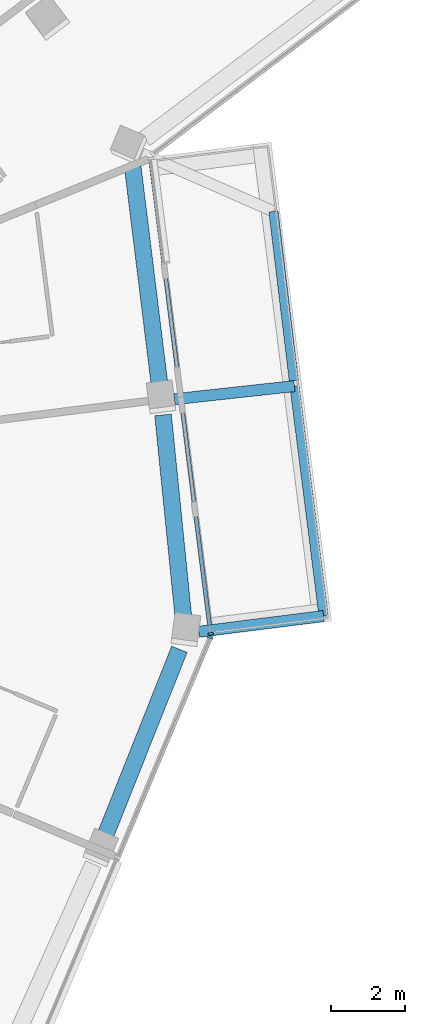
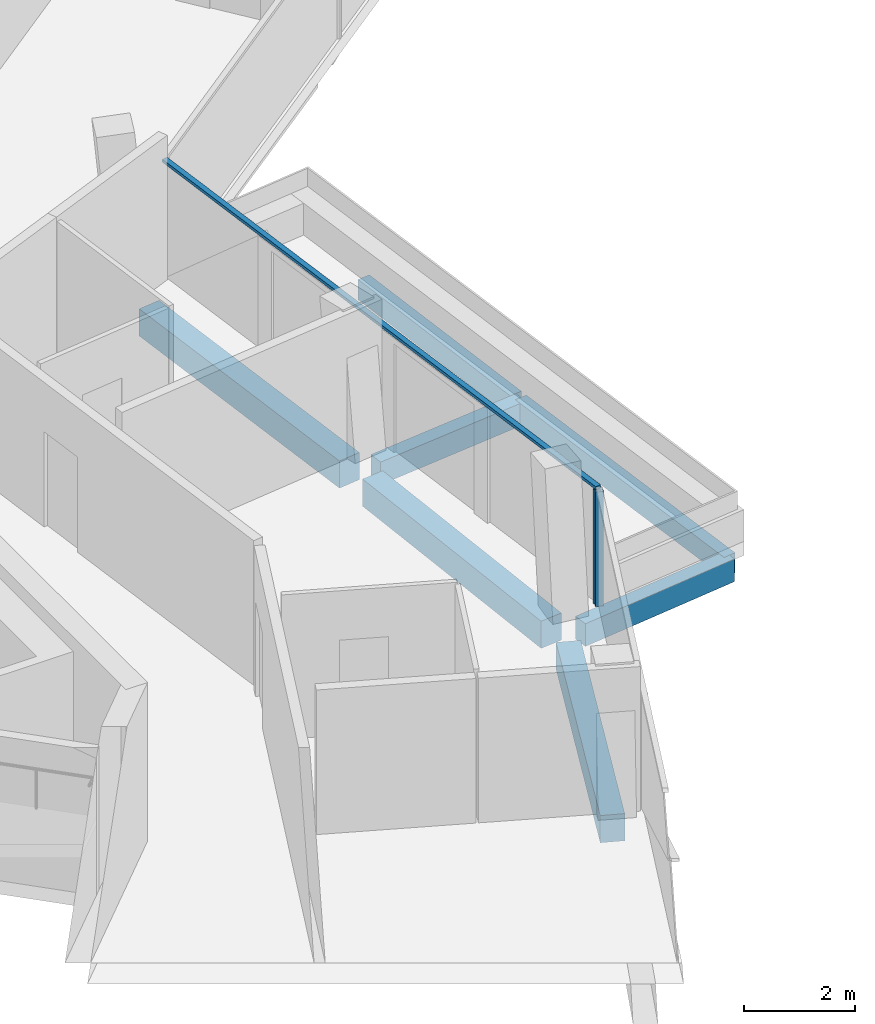
# One storey, part 7 of 26: 7 beams, 3 members, 2 elements without a shape of their own.
"""IFC4 building model written with IfcOpenShell, lengths in metres."""

from ifc_helpers import new_model, si_unit, direction, frame, origin, origin_2d, place, context, subcontext, project, spatial, rectangle, extrude, material, layer, layer_set, material_profile, profile_set, type_object, element, aggregate, save


model = new_model("IFC4")

# Units and contexts
model_context = context("Model", 3, precision=1e-05, world=origin(), true_north=direction((0.0, 1.0)))
body_context = subcontext(model_context, "Body", "Model", "MODEL_VIEW")
ifc_project = project(units=[si_unit("LENGTHUNIT", "METRE"), si_unit("AREAUNIT", "SQUARE_METRE"), si_unit("VOLUMEUNIT", "CUBIC_METRE"), si_unit("PLANEANGLEUNIT", "RADIAN"), si_unit("MASSUNIT", "GRAM", prefix="KILO")], contexts=[model_context])

# Site, building, storey
site_placement = place(None, origin())
site = spatial("IfcSite", under=ifc_project, at=site_placement, CompositionType="ELEMENT")
building_placement = place(site_placement, origin())
building = spatial("IfcBuilding", under=site, at=building_placement, Name="Verdalira Terraces Hotel", CompositionType="ELEMENT")
storey_placement = place(building_placement, frame((0.0, 0.0, 306.5)))
storey = spatial("IfcBuildingStorey", under=building, at=storey_placement, Name="L76", CompositionType="ELEMENT", Elevation=306.5)

# Beams
ifc_material_1 = material(Name="Concrete C40", Category="concrete")
ifc_material_profile_1 = material_profile(ifc_material_1, rectangle(XDim=0.300049, YDim=0.5, at=origin_2d()), Name="RC 300X500")
ifc_profile_set_1 = profile_set([ifc_material_profile_1], Name="Concrete C40")
beam_type_1 = type_object("IfcBeamType", Name="Balcony cantilever beam RC 300X500 C40", PredefinedType="BEAM", material=ifc_profile_set_1)
beam_1_placement = place(storey_placement, frame((24.47876, -3.294434, -0.560059), z_axis=(0.992115056, 0.125330424, 0.0), x_axis=(-0.125330424, 0.992115056, 0.0)))
element("IfcBeam", 1, at=beam_1_placement, inside=storey, type_object=beam_type_1, Name="Balcony cantilever beam R27-1", PredefinedType="BEAM", context=body_context, shape_type="SweptSolid", body=[
    extrude(rectangle(XDim=0.300049, YDim=0.5, at=origin_2d()), origin(), (0.0, 0.0, 1.0), 3.385498),
])
beam_2_placement = place(storey_placement, frame((23.82373, 2.968262, -0.560059), z_axis=(0.994070043, 0.108741665, 0.0), x_axis=(-0.108741665, 0.994070043, 0.0)))
element("IfcBeam", 2, at=beam_2_placement, inside=storey, type_object=beam_type_1, Name="Balcony cantilever beam R27-2", PredefinedType="BEAM", context=body_context, shape_type="SweptSolid", body=[
    extrude(rectangle(XDim=0.300049, YDim=0.5, at=origin_2d()), origin(), (0.0, 0.0, 1.0), 3.250977),
])
ifc_material_2 = material(Name="Concrete C40", Category="concrete")
ifc_material_profile_2 = material_profile(ifc_material_2, rectangle(XDim=0.25, YDim=0.449951, at=origin_2d()), Name="RC 250X450")
ifc_profile_set_2 = profile_set([ifc_material_profile_2], Name="Concrete C40")
beam_type_2 = type_object("IfcBeamType", Name="Balcony edge beam RC 250X450 C40", PredefinedType="BEAM", material=ifc_profile_set_2)
beam_3_placement = place(storey_placement, frame((27.837646, -2.870117, -0.534912), z_axis=(-0.125334554, 0.992114534, 0.0), x_axis=(-0.992114534, -0.125334554, 0.0)))
element("IfcBeam", 3, at=beam_3_placement, inside=storey, type_object=beam_type_2, Name="Balcony edge beam R27-1", PredefinedType="BEAM", context=body_context, shape_type="SweptSolid", body=[
    extrude(rectangle(XDim=0.25, YDim=0.449951, at=origin_2d()), origin(), (0.0, 0.0, 1.0), 6.241211),
])
beam_4_placement = place(storey_placement, frame((27.037598, 3.470703, -0.534912), z_axis=(-0.119413928, 0.992844557, 0.0), x_axis=(-0.992844557, -0.119413928, 0.0)))
element("IfcBeam", 4, at=beam_4_placement, inside=storey, type_object=beam_type_2, Name="Balcony edge beam R27-2", PredefinedType="BEAM", context=body_context, shape_type="SweptSolid", body=[
    extrude(rectangle(XDim=0.25, YDim=0.449951, at=origin_2d()), origin(), (0.0, 0.0, 1.0), 4.585693),
])

# Curtain wall, member
ifc_material_3 = material(Name="Clear glass", Category="glass")
ifc_layer = layer(ifc_material_3, 0.14990234375)
ifc_layer_set = layer_set([ifc_layer], Name="CW1 curtain wall")
curtain_wall_type = type_object("IfcCurtainWallType", Name="CW1 curtain wall", PredefinedType="NOTDEFINED", material=ifc_layer_set)
curtain_wall_1_placement = place(storey_placement, origin())
curtain_wall_1 = element("IfcCurtainWall", 5, at=curtain_wall_1_placement, inside=storey, type_object=curtain_wall_type, Name="CW1 curtain wall L76 edge 26", PredefinedType="NOTDEFINED")
ifc_material_4 = material(Name="Terracotta frame", Category="masonry")
ifc_material_profile_3 = material_profile(ifc_material_4, rectangle(XDim=0.060059, YDim=0.149902, at=origin_2d()), Name="MU 60x150")
ifc_profile_set_3 = profile_set([ifc_material_profile_3], Name="Terracotta frame")
member_type_1 = type_object("IfcMemberType", Name="CW1 mullion 60x150", PredefinedType="MULLION", material=ifc_profile_set_3)
member_1_placement = place(storey_placement, frame((24.7854, -3.444092, 0.0), z_axis=(0.0, 0.0, 1.0), x_axis=(0.387515586, 0.921863152, 0.0)))
member_1 = element("IfcMember", 6, at=member_1_placement, type_object=member_type_1, Name="CW1 mullion", PredefinedType="MULLION", context=body_context, shape_type="SweptSolid", body=[
    extrude(rectangle(XDim=0.060059, YDim=0.149902, at=origin_2d()), origin(), (0.0, 0.0, 1.0), 2.524902),
])
aggregate(curtain_wall_1, [member_1])

# Curtain wall, members
curtain_wall_2_placement = place(storey_placement, origin())
curtain_wall_2 = element("IfcCurtainWall", 7, at=curtain_wall_2_placement, inside=storey, type_object=curtain_wall_type, Name="CW1 curtain wall L76 edge 27", PredefinedType="NOTDEFINED")
member_2_placement = place(storey_placement, frame((24.798584, -3.348145, 0.0), z_axis=(0.0, 0.0, 1.0), x_axis=(-0.125333234, 0.992114701, 0.0)))
member_2 = element("IfcMember", 8, at=member_2_placement, type_object=member_type_1, Name="CW1 mullion", PredefinedType="MULLION", context=body_context, shape_type="SweptSolid", body=[
    extrude(rectangle(XDim=0.060059, YDim=0.149902, at=origin_2d()), origin(), (0.0, 0.0, 1.0), 2.524902),
])
ifc_material_5 = material(Name="Terracotta frame", Category="masonry")
ifc_material_profile_4 = material_profile(ifc_material_5, rectangle(XDim=0.110107, YDim=0.064941, at=origin_2d()), Name="TR 65x110")
ifc_profile_set_4 = profile_set([ifc_material_profile_4], Name="Terracotta frame")
member_type_2 = type_object("IfcMemberType", Name="CW1 transom 65x110", PredefinedType="USERDEFINED", material=ifc_profile_set_4)
member_3_placement = place(storey_placement, frame((24.802246, -3.37793, 2.557617), z_axis=(-0.125330699, 0.992115022, 0.0), x_axis=(-0.992115022, -0.125330699, 0.0)))
member_3 = element("IfcMember", 9, at=member_3_placement, type_object=member_type_2, Name="CW1 transom", ObjectType="TRANSOM", PredefinedType="USERDEFINED", context=body_context, shape_type="SweptSolid", body=[
    extrude(rectangle(XDim=0.110107, YDim=0.064941, at=origin_2d()), origin(), (0.0, 0.0, 1.0), 12.959961),
])
aggregate(curtain_wall_2, [member_2, member_3])

# Beams
ifc_material_6 = material(Name="Concrete C40", Category="concrete")
ifc_material_profile_5 = material_profile(ifc_material_6, rectangle(XDim=0.449951, YDim=0.600098, at=origin_2d()), Name="RC 450X600")
ifc_profile_set_5 = profile_set([ifc_material_profile_5], Name="Concrete C40")
beam_type_3 = type_object("IfcBeamType", Name="Spandrel beam RC 450X600 C40", PredefinedType="SPANDREL", material=ifc_profile_set_5)
beam_5_placement = place(storey_placement, frame((21.916504, -8.894775, -0.610107), z_axis=(0.369651851, 0.929170334, 0.0), x_axis=(-0.929170334, 0.369651851, 0.0)))
element("IfcBeam", 10, at=beam_5_placement, inside=storey, type_object=beam_type_3, Name="Spandrel beam B16", PredefinedType="SPANDREL", context=body_context, shape_type="SweptSolid", body=[
    extrude(rectangle(XDim=0.449951, YDim=0.600098, at=origin_2d()), origin(), (0.0, 0.0, 1.0), 5.521484),
])
beam_6_placement = place(storey_placement, frame((24.06958, -2.950195, -0.610107), z_axis=(-0.100335179, 0.994953693, 0.0), x_axis=(-0.994953693, -0.100335179, 0.0)))
element("IfcBeam", 11, at=beam_6_placement, inside=storey, type_object=beam_type_3, Name="Spandrel beam B17", PredefinedType="SPANDREL", context=body_context, shape_type="SweptSolid", body=[
    extrude(rectangle(XDim=0.449951, YDim=0.600098, at=origin_2d()), origin(), (0.0, 0.0, 1.0), 5.523438),
])
beam_7_placement = place(storey_placement, frame((23.436279, 3.248779, -0.610107), z_axis=(-0.122405082, 0.992480224, 0.0), x_axis=(-0.992480224, -0.122405082, 0.0)))
element("IfcBeam", 12, at=beam_7_placement, inside=storey, type_object=beam_type_3, Name="Spandrel beam B18", PredefinedType="SPANDREL", context=body_context, shape_type="SweptSolid", body=[
    extrude(rectangle(XDim=0.449951, YDim=0.600098, at=origin_2d()), origin(), (0.0, 0.0, 1.0), 6.011475),
])

save(model, "model.ifc")
